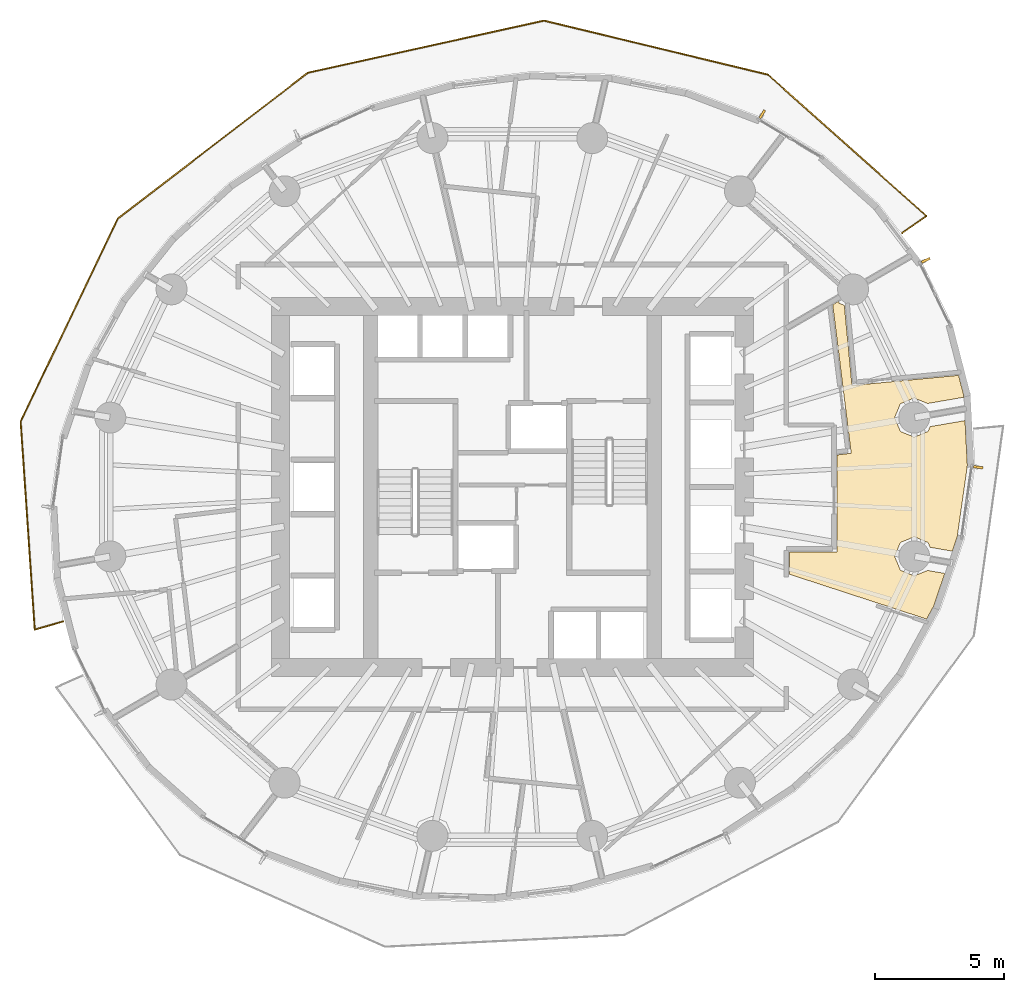
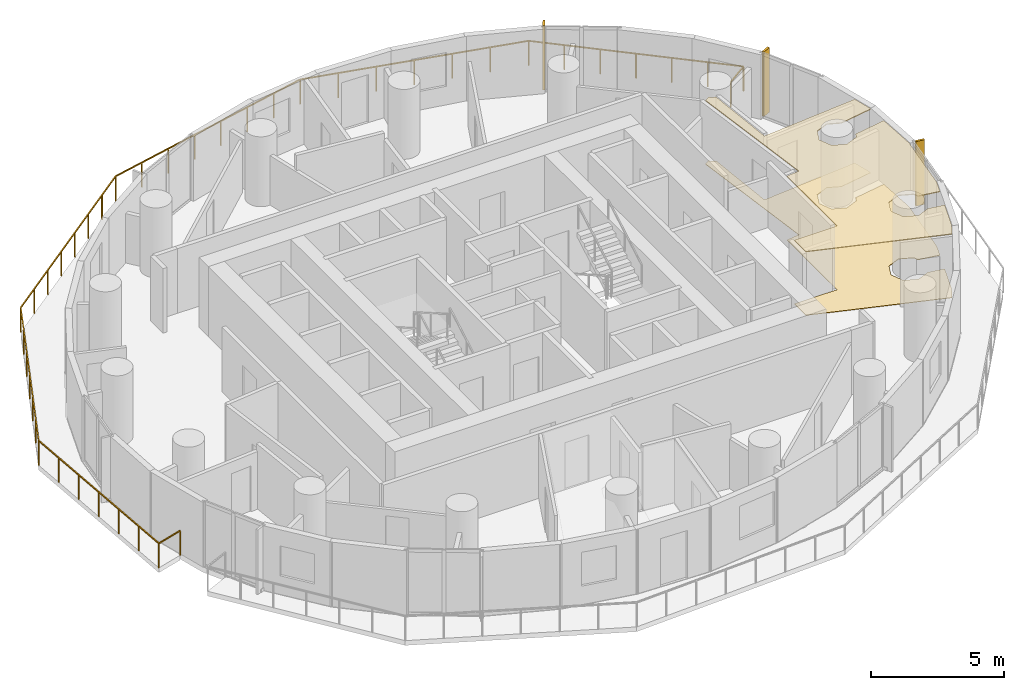
# One storey, part 14 of 14: 3 shading devices, 2 coverings, 1 railing.
"""IFC4 building model written with IfcOpenShell, lengths in metres."""

from ifc_helpers import new_model, si_unit, direction, frame, origin, origin_2d, place, context, subcontext, project, spatial, polyline, rectangle, outline, extrude, material, layer, layer_set, type_object, element, save


model = new_model("IFC4")

# Units and contexts
model_context = context("Model", 3, precision=1e-05, world=origin(), true_north=direction((0.0, 1.0)))
body_context = subcontext(model_context, "Body", "Model", "MODEL_VIEW")
ifc_project = project(units=[si_unit("LENGTHUNIT", "METRE"), si_unit("AREAUNIT", "SQUARE_METRE"), si_unit("VOLUMEUNIT", "CUBIC_METRE"), si_unit("PLANEANGLEUNIT", "RADIAN"), si_unit("MASSUNIT", "GRAM", prefix="KILO")], contexts=[model_context])

# Site, building, storey
site_placement = place(None, origin())
site = spatial("IfcSite", under=ifc_project, at=site_placement, CompositionType="ELEMENT")
building_placement = place(site_placement, origin())
building = spatial("IfcBuilding", under=site, at=building_placement, Name="Veldorim Arch Residences", CompositionType="ELEMENT")
storey_placement = place(building_placement, frame((0.0, 0.0, 86.8798828125)))
storey = spatial("IfcBuildingStorey", under=building, at=storey_placement, Name="L25", CompositionType="ELEMENT", Elevation=86.8798828125)

# Railing
ifc_material_1 = material(Name="Aluminium", Category="aluminium")
railing_type = type_object("IfcRailingType", Name="Balcony & Terrace Laminated Glass Balustrade 1150", PredefinedType="BALUSTRADE", material=ifc_material_1)
railing_placement = place(storey_placement, frame((47.1259765625, 33.854736328125, 0.0)))
element("IfcRailing", 1, at=railing_placement, inside=storey, type_object=railing_type, Name="L25 crescent balcony safety balustrade A", PredefinedType="BALUSTRADE", context=body_context, shape_type="SweptSolid", body=[
    extrude(rectangle(XDim=0.048095703125, YDim=0.048095703125, at=origin_2d()), frame((0.0, 0.0, 1.1259765625), z_axis=(0.819431336114, 0.573177359458, 0.0), x_axis=(-0.573177359458, 0.819431336114, 0.0)), (0.0, 0.0, 1.0), 1.150146484375),
    extrude(rectangle(XDim=0.048095703125, YDim=0.048095703125, at=origin_2d()), frame((0.9423828125, 0.6591796875, 1.1259765625), z_axis=(-0.746214671187, 0.665705388671, 0.0), x_axis=(-0.665705388671, -0.746214671187, 0.0)), (0.0, 0.0, 1.0), 8.2392578125),
    extrude(rectangle(XDim=0.048095703125, YDim=0.048095703125, at=origin_2d()), frame((-5.205810546875, 6.14404296875, 1.1259765625), z_axis=(-0.972111417995, 0.234519489601, 0.0), x_axis=(-0.234519489601, -0.972111417995, 0.0)), (0.0, 0.0, 1.0), 8.938232421875),
    extrude(rectangle(XDim=0.048095703125, YDim=0.048095703125, at=origin_2d()), frame((-13.894775390625, 8.240234375, 1.1259765625), z_axis=(-0.976478766181, -0.215613587694, 0.0), x_axis=(0.215613587694, -0.976478766181, 0.0)), (0.0, 0.0, 1.0), 9.384521484375),
    extrude(rectangle(XDim=0.048095703125, YDim=0.048095703125, at=origin_2d()), frame((-23.05859375, 6.216796875, 1.1259765625), z_axis=(-0.793334406414, -0.608786103323, 0.0), x_axis=(0.608786103323, -0.793334406414, 0.0)), (0.0, 0.0, 1.0), 9.29345703125),
    extrude(rectangle(XDim=0.048095703125, YDim=0.048095703125, at=origin_2d()), frame((-30.431396484375, 0.55908203125, 1.1259765625), z_axis=(-0.431794755909, -0.901971889124, 0.0), x_axis=(0.901971889124, -0.431794755909, 0.0)), (0.0, 0.0, 1.0), 8.7333984375),
    extrude(rectangle(XDim=0.048095703125, YDim=0.048095703125, at=origin_2d()), frame((-34.202392578125, -7.318115234375, 1.1259765625), z_axis=(0.067586357353, -0.997713427944, 0.0), x_axis=(0.997713427944, 0.067586357353, 0.0)), (0.0, 0.0, 1.0), 8.091552734375),
    extrude(rectangle(XDim=0.048095703125, YDim=0.048095703125, at=origin_2d()), frame((-33.655517578125, -15.39111328125, 1.1259765625), z_axis=(0.960613489845, 0.277887968664, 0.0), x_axis=(-0.277887968664, 0.960613489845, 0.0)), (0.0, 0.0, 1.0), 1.150146484375),
    extrude(rectangle(XDim=0.0419921875, YDim=0.0419921875, at=origin_2d()), origin(), (0.0, 0.0, 1.0), 1.101806640625),
    extrude(rectangle(XDim=0.0419921875, YDim=0.0419921875, at=origin_2d()), frame((0.9423828125, 0.6591796875, 0.0)), (0.0, 0.0, 1.0), 1.101806640625),
    extrude(rectangle(XDim=0.0419921875, YDim=0.0419921875, at=origin_2d()), frame((-0.082275390625, 1.5732421875, 0.0)), (0.0, 0.0, 1.0), 1.101806640625),
    extrude(rectangle(XDim=0.0419921875, YDim=0.0419921875, at=origin_2d()), frame((-1.10693359375, 2.487548828125, 0.0)), (0.0, 0.0, 1.0), 1.101806640625),
    extrude(rectangle(XDim=0.0419921875, YDim=0.0419921875, at=origin_2d()), frame((-2.1318359375, 3.401611328125, 0.0)), (0.0, 0.0, 1.0), 1.101806640625),
    extrude(rectangle(XDim=0.0419921875, YDim=0.0419921875, at=origin_2d()), frame((-3.156494140625, 4.315673828125, 0.0)), (0.0, 0.0, 1.0), 1.101806640625),
    extrude(rectangle(XDim=0.0419921875, YDim=0.0419921875, at=origin_2d()), frame((-4.18115234375, 5.22998046875, 0.0)), (0.0, 0.0, 1.0), 1.101806640625),
    extrude(rectangle(XDim=0.0419921875, YDim=0.0419921875, at=origin_2d()), frame((-5.205810546875, 6.14404296875, 0.0)), (0.0, 0.0, 1.0), 1.101806640625),
    extrude(rectangle(XDim=0.0419921875, YDim=0.0419921875, at=origin_2d()), frame((-6.654052734375, 6.493408203125, 0.0)), (0.0, 0.0, 1.0), 1.101806640625),
    extrude(rectangle(XDim=0.0419921875, YDim=0.0419921875, at=origin_2d()), frame((-8.10205078125, 6.8427734375, 0.0)), (0.0, 0.0, 1.0), 1.101806640625),
    extrude(rectangle(XDim=0.0419921875, YDim=0.0419921875, at=origin_2d()), frame((-9.55029296875, 7.192138671875, 0.0)), (0.0, 0.0, 1.0), 1.101806640625),
    extrude(rectangle(XDim=0.0419921875, YDim=0.0419921875, at=origin_2d()), frame((-10.99853515625, 7.54150390625, 0.0)), (0.0, 0.0, 1.0), 1.101806640625),
    extrude(rectangle(XDim=0.0419921875, YDim=0.0419921875, at=origin_2d()), frame((-12.446533203125, 7.890869140625, 0.0)), (0.0, 0.0, 1.0), 1.101806640625),
    extrude(rectangle(XDim=0.0419921875, YDim=0.0419921875, at=origin_2d()), frame((-13.894775390625, 8.240234375, 0.0)), (0.0, 0.0, 1.0), 1.101806640625),
    extrude(rectangle(XDim=0.0419921875, YDim=0.0419921875, at=origin_2d()), frame((-15.203857421875, 7.951171875, 0.0)), (0.0, 0.0, 1.0), 1.101806640625),
    extrude(rectangle(XDim=0.0419921875, YDim=0.0419921875, at=origin_2d()), frame((-16.512939453125, 7.662109375, 0.0)), (0.0, 0.0, 1.0), 1.101806640625),
    extrude(rectangle(XDim=0.0419921875, YDim=0.0419921875, at=origin_2d()), frame((-17.822021484375, 7.373046875, 0.0)), (0.0, 0.0, 1.0), 1.101806640625),
    extrude(rectangle(XDim=0.0419921875, YDim=0.0419921875, at=origin_2d()), frame((-19.13134765625, 7.083984375, 0.0)), (0.0, 0.0, 1.0), 1.101806640625),
    extrude(rectangle(XDim=0.0419921875, YDim=0.0419921875, at=origin_2d()), frame((-20.4404296875, 6.794921875, 0.0)), (0.0, 0.0, 1.0), 1.101806640625),
    extrude(rectangle(XDim=0.0419921875, YDim=0.0419921875, at=origin_2d()), frame((-21.74951171875, 6.505859375, 0.0)), (0.0, 0.0, 1.0), 1.101806640625),
    extrude(rectangle(XDim=0.0419921875, YDim=0.0419921875, at=origin_2d()), frame((-23.05859375, 6.216796875, 0.0)), (0.0, 0.0, 1.0), 1.101806640625),
    extrude(rectangle(XDim=0.0419921875, YDim=0.0419921875, at=origin_2d()), frame((-24.11181640625, 5.408447265625, 0.0)), (0.0, 0.0, 1.0), 1.101806640625),
    extrude(rectangle(XDim=0.0419921875, YDim=0.0419921875, at=origin_2d()), frame((-25.1650390625, 4.600341796875, 0.0)), (0.0, 0.0, 1.0), 1.101806640625),
    extrude(rectangle(XDim=0.0419921875, YDim=0.0419921875, at=origin_2d()), frame((-26.21826171875, 3.7919921875, 0.0)), (0.0, 0.0, 1.0), 1.101806640625),
    extrude(rectangle(XDim=0.0419921875, YDim=0.0419921875, at=origin_2d()), frame((-27.271728515625, 2.98388671875, 0.0)), (0.0, 0.0, 1.0), 1.101806640625),
    extrude(rectangle(XDim=0.0419921875, YDim=0.0419921875, at=origin_2d()), frame((-28.324951171875, 2.175537109375, 0.0)), (0.0, 0.0, 1.0), 1.101806640625),
    extrude(rectangle(XDim=0.0419921875, YDim=0.0419921875, at=origin_2d()), frame((-29.378173828125, 1.367431640625, 0.0)), (0.0, 0.0, 1.0), 1.101806640625),
    extrude(rectangle(XDim=0.0419921875, YDim=0.0419921875, at=origin_2d()), frame((-30.431396484375, 0.55908203125, 0.0)), (0.0, 0.0, 1.0), 1.101806640625),
    extrude(rectangle(XDim=0.0419921875, YDim=0.0419921875, at=origin_2d()), frame((-31.059814453125, -0.75390625, 0.0)), (0.0, 0.0, 1.0), 1.101806640625),
    extrude(rectangle(XDim=0.0419921875, YDim=0.0419921875, at=origin_2d()), frame((-31.6884765625, -2.066650390625, 0.0)), (0.0, 0.0, 1.0), 1.101806640625),
    extrude(rectangle(XDim=0.0419921875, YDim=0.0419921875, at=origin_2d()), frame((-32.31689453125, -3.37939453125, 0.0)), (0.0, 0.0, 1.0), 1.101806640625),
    extrude(rectangle(XDim=0.0419921875, YDim=0.0419921875, at=origin_2d()), frame((-32.9453125, -4.6923828125, 0.0)), (0.0, 0.0, 1.0), 1.101806640625),
    extrude(rectangle(XDim=0.0419921875, YDim=0.0419921875, at=origin_2d()), frame((-33.573974609375, -6.00537109375, 0.0)), (0.0, 0.0, 1.0), 1.101806640625),
    extrude(rectangle(XDim=0.0419921875, YDim=0.0419921875, at=origin_2d()), frame((-34.202392578125, -7.318115234375, 0.0)), (0.0, 0.0, 1.0), 1.101806640625),
    extrude(rectangle(XDim=0.0419921875, YDim=0.0419921875, at=origin_2d()), frame((-34.111328125, -8.66357421875, 0.0)), (0.0, 0.0, 1.0), 1.101806640625),
    extrude(rectangle(XDim=0.0419921875, YDim=0.0419921875, at=origin_2d()), frame((-34.02001953125, -10.009033203125, 0.0)), (0.0, 0.0, 1.0), 1.101806640625),
    extrude(rectangle(XDim=0.0419921875, YDim=0.0419921875, at=origin_2d()), frame((-33.928955078125, -11.3544921875, 0.0)), (0.0, 0.0, 1.0), 1.101806640625),
    extrude(rectangle(XDim=0.0419921875, YDim=0.0419921875, at=origin_2d()), frame((-33.837890625, -12.7001953125, 0.0)), (0.0, 0.0, 1.0), 1.101806640625),
    extrude(rectangle(XDim=0.0419921875, YDim=0.0419921875, at=origin_2d()), frame((-33.74658203125, -14.045654296875, 0.0)), (0.0, 0.0, 1.0), 1.101806640625),
    extrude(rectangle(XDim=0.0419921875, YDim=0.0419921875, at=origin_2d()), frame((-33.655517578125, -15.39111328125, 0.0)), (0.0, 0.0, 1.0), 1.101806640625),
    extrude(rectangle(XDim=0.0419921875, YDim=0.0419921875, at=origin_2d()), frame((-32.55078125, -15.071533203125, 0.0)), (0.0, 0.0, 1.0), 1.101806640625),
])

# Coverings
ifc_material_2 = material(Name="Acoustic Gypsum & Mineral Fibre", Category="gypsum")
ifc_layer_1 = layer(ifc_material_2, 0.034912109375, Name="Perforated Acoustic Mineral-Fibre Ceiling 35")
ifc_layer_set_1 = layer_set([ifc_layer_1], Name="Acoustic Gypsum & Mineral Fibre")
covering_type_1 = type_object("IfcCoveringType", Name="Perforated Acoustic Mineral-Fibre Ceiling 35", PredefinedType="CEILING", material=ifc_layer_set_1)
covering_1_placement = place(storey_placement, frame((0.0, 0.0, 2.905029296875)))
element("IfcCovering", 2, at=covering_1_placement, inside=storey, type_object=covering_type_1, Name="L25 acoustic suspended ceiling 02", PredefinedType="CEILING", context=body_context, shape_type="SweptSolid", body=[
    extrude(outline(polyline([(47.594482421875, 25.932373046875), (48.1318359375, 26.15478515625), (48.209228515625, 26.341796875), (49.564453125, 26.57568359375), (49.656005859375, 24.8330078125), (49.2646484375, 22.07666015625), (49.072265625, 21.50927734375), (48.209228515625, 21.658203125), (48.1318359375, 21.84521484375), (47.594482421875, 22.067626953125), (47.05712890625, 21.84521484375), (46.834716796875, 21.307861328125), (47.05712890625, 20.7705078125), (47.594482421875, 20.5478515625), (48.111083984375, 20.761962890625), (48.77978515625, 20.646484375), (48.34912109375, 19.37646484375), (48.07275390625, 18.875244140625), (42.75, 20.6142578125), (42.75, 21.47998046875), (44.60009765625, 21.47998046875), (44.60009765625, 25.239990234375), (45.151123046875, 25.308837890625), (44.431396484375, 31.070556640625), (44.654052734375, 31.19970703125), (44.68310546875, 31.129638671875), (44.884033203125, 31.04638671875), (45.17919921875, 27.9375), (49.3154296875, 28.330322265625), (49.5126953125, 27.562255859375), (49.51708984375, 27.480712890625), (48.111083984375, 27.238037109375), (47.594482421875, 27.4521484375), (47.05712890625, 27.2294921875), (46.834716796875, 26.692138671875), (47.05712890625, 26.15478515625), (47.594482421875, 25.932373046875)])), origin(), (0.0, 0.0, 1.0), 0.03515625),
])
ifc_material_3 = material(Name="Porcelain Ceramic Tile", Category="ceramic")
ifc_layer_2 = layer(ifc_material_3, 0.02001953125, Name="Slip-Resistant Porcelain & Vinyl Floor Finish 20")
ifc_layer_set_2 = layer_set([ifc_layer_2], Name="Porcelain Ceramic Tile")
covering_type_2 = type_object("IfcCoveringType", Name="Slip-Resistant Porcelain & Vinyl Floor Finish 20", PredefinedType="FLOORING", material=ifc_layer_set_2)
covering_2_placement = place(storey_placement, origin())
element("IfcCovering", 3, at=covering_2_placement, inside=storey, type_object=covering_type_2, Name="L25 porcelain floor finish 02", PredefinedType="FLOORING", context=body_context, shape_type="SweptSolid", body=[
    extrude(outline(polyline([(47.594482421875, 25.932373046875), (48.1318359375, 26.15478515625), (48.209228515625, 26.341796875), (49.564453125, 26.57568359375), (49.656005859375, 24.8330078125), (49.2646484375, 22.07666015625), (49.072265625, 21.50927734375), (48.209228515625, 21.658203125), (48.1318359375, 21.84521484375), (47.594482421875, 22.067626953125), (47.05712890625, 21.84521484375), (46.834716796875, 21.307861328125), (47.05712890625, 20.7705078125), (47.594482421875, 20.5478515625), (48.111083984375, 20.761962890625), (48.77978515625, 20.646484375), (48.34912109375, 19.37646484375), (48.07275390625, 18.875244140625), (42.75, 20.6142578125), (42.75, 21.47998046875), (44.60009765625, 21.47998046875), (44.60009765625, 25.239990234375), (45.151123046875, 25.308837890625), (44.431396484375, 31.070556640625), (44.654052734375, 31.19970703125), (44.68310546875, 31.129638671875), (44.884033203125, 31.04638671875), (45.17919921875, 27.9375), (49.3154296875, 28.330322265625), (49.5126953125, 27.562255859375), (49.51708984375, 27.480712890625), (48.111083984375, 27.238037109375), (47.594482421875, 27.4521484375), (47.05712890625, 27.2294921875), (46.834716796875, 26.692138671875), (47.05712890625, 26.15478515625), (47.594482421875, 25.932373046875)])), origin(), (0.0, 0.0, 1.0), 0.02001953125),
])

# Shading devices
ifc_material_4 = material(Name="Terracotta Ceramic", Category="masonry")
ifc_layer_3 = layer(ifc_material_4, 0.090087890625, Name="Vertical Extruded Terracotta Baguette Sun-Shading Fin")
ifc_layer_set_3 = layer_set([ifc_layer_3], Name="Terracotta Ceramic")
shading_device_type = type_object("IfcShadingDeviceType", Name="Vertical Extruded Terracotta Baguette Sun-Shading Fin", PredefinedType="USERDEFINED", material=ifc_layer_set_3)
for number, where, z_axis, x_axis, name in (
    (4, (48.044677734375, 32.796875, 0.000244140625), (0.0, 0.0, 1.0), (0.437115766651, -0.899405251566, 0.0), "L25 vertical terracotta sun-shading fin 01"),
    (5, (41.70166015625, 38.4658203125, 0.000244140625), (0.0, 0.0, 1.0), (0.857616429769, -0.514289859311, 0.0), "L25 vertical terracotta sun-shading fin 04"),
    (6, (50.078369140625, 24.765625, 0.000244140625), (0.0, 0.0, 1.0), (-0.14055563991, -0.990072781208, 0.0), "L25 vertical terracotta sun-shading fin 34"),
):
    element("IfcShadingDevice", number, at=place(storey_placement, frame(where, z_axis=z_axis, x_axis=x_axis)), inside=storey, type_object=shading_device_type, Name=name, ObjectType="FIN", PredefinedType="USERDEFINED", context=body_context, shape_type="SweptSolid", body=[
        extrude(rectangle(XDim=0.090087890625, YDim=0.360107421875, at=origin_2d()), origin(), (0.0, 0.0, 1.0), 2.9599609375),
    ])

save(model, "model.ifc")
